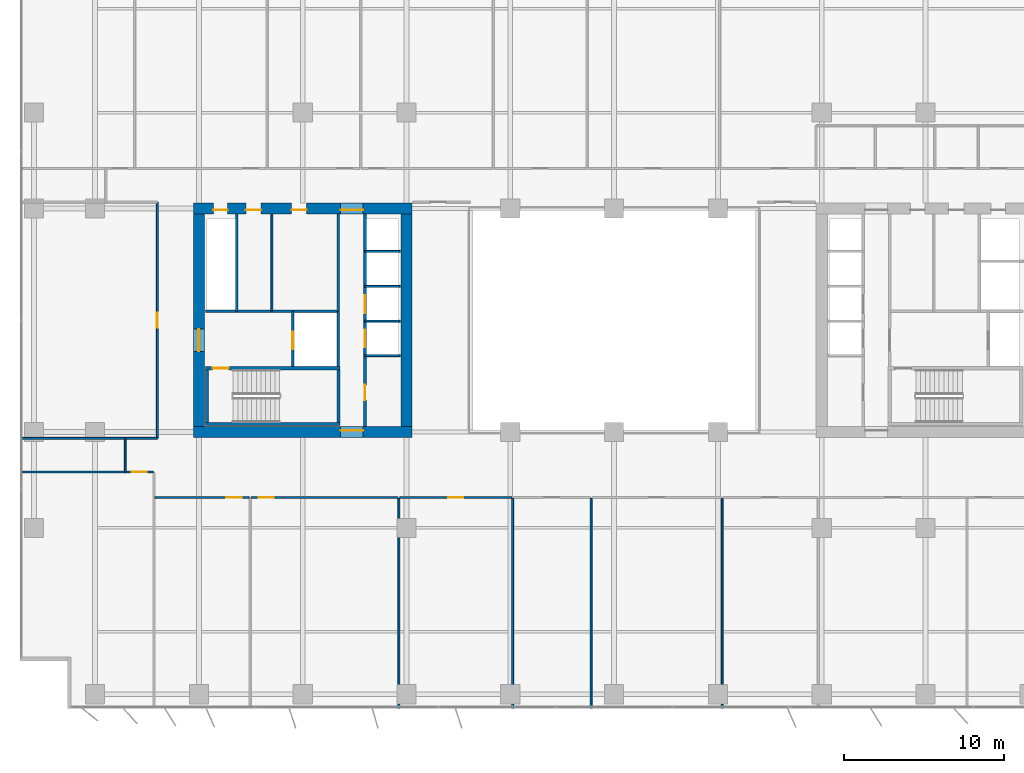
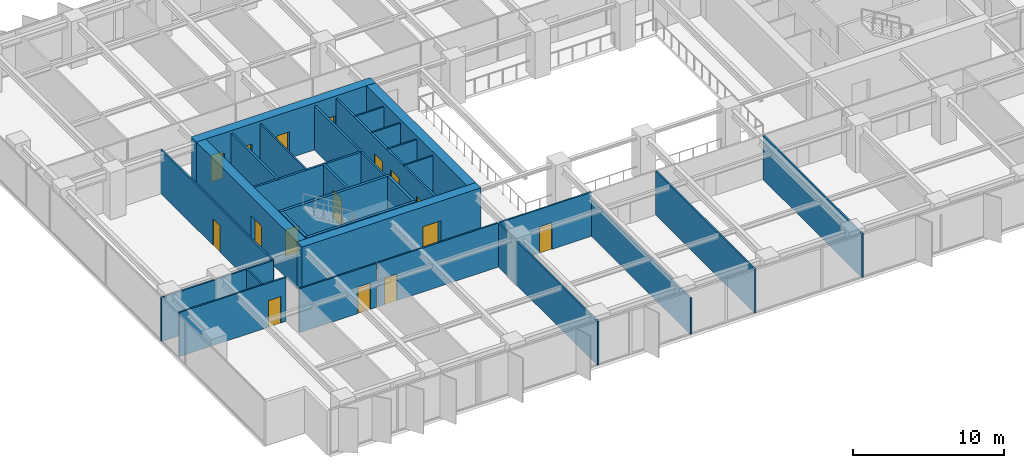
# One storey, part 13 of 20: 30 walls, 16 doors, 16 openings.
"""IFC4 building model written with IfcOpenShell, lengths in metres."""

from ifc_helpers import new_model, si_unit, direction, frame, frame_2d, origin, place, context, subcontext, project, spatial, rectangle, extrude, material, layer, layer_set, type_object, element, fill, save


model = new_model("IFC4")

# Units and contexts
model_context = context("Model", 3, precision=1e-05, world=origin(), true_north=direction((0.0, 1.0)))
body_context = subcontext(model_context, "Body", "Model", "MODEL_VIEW")
ifc_project = project(units=[si_unit("LENGTHUNIT", "METRE"), si_unit("AREAUNIT", "SQUARE_METRE"), si_unit("VOLUMEUNIT", "CUBIC_METRE"), si_unit("PLANEANGLEUNIT", "RADIAN"), si_unit("MASSUNIT", "GRAM", prefix="KILO")], contexts=[model_context])

# Site, building, storey
site_placement = place(None, origin())
site = spatial("IfcSite", under=ifc_project, at=site_placement, CompositionType="ELEMENT")
building_placement = place(site_placement, origin())
building = spatial("IfcBuilding", under=site, at=building_placement, Name="Putna Gate Headquarters", CompositionType="ELEMENT")
storey_placement = place(building_placement, frame((0.0, 0.0, 127.800048828125)))
storey = spatial("IfcBuildingStorey", under=building, at=storey_placement, Name="L31", CompositionType="ELEMENT", Elevation=127.800048828125)

# Wall, opening, door
ifc_material_1 = material(Name="Concrete C60/75", Category="concrete")
ifc_layer_1 = layer(ifc_material_1, 0.699951171875)
ifc_layer_set_1 = layer_set([ifc_layer_1], Name="Concrete C60/75")
wall_type_1 = type_object("IfcWallType", Name="WALL-CORE-700", PredefinedType="SHEAR", material=ifc_layer_set_1)
wall_1_placement = place(storey_placement, frame((12.64990234375, 19.0, 0.0), z_axis=(0.0, 0.0, 1.0), x_axis=(1.0, 0.0, 0.0)))
wall_1 = element("IfcWall", 1, at=wall_1_placement, inside=storey, type_object=wall_type_1, Name="L31 WC Split Core Shear Wall S", PredefinedType="SHEAR", context=body_context, shape_type="SweptSolid", body=[
    extrude(rectangle(XDim=13.7001953125, YDim=0.699951171875, at=frame_2d((6.85009765625, 0.0))), origin(), (0.0, 0.0, 1.0), 3.800048828125),
])
opening_1_placement = place(wall_1_placement, frame((9.22998046875, 0.0, 0.0)))
opening_1 = element("IfcOpeningElement", 2, at=opening_1_placement, cuts=wall_1, Name="Opening FDD-140", PredefinedType="OPENING", context=body_context, shape_type="SweptSolid", body=[
    extrude(rectangle(XDim=1.39990234375, YDim=2.199951171875, at=frame_2d((0.699951171875, 1.10009765625))), frame((0.0, 0.35986328125, 0.0), z_axis=(0.0, -1.0, 0.0), x_axis=(1.0, 0.0, 0.0)), (0.0, 0.0, 1.0), 0.719970703125),
])
ifc_material_2 = material(Name="Double steel fire door", Category="steel")
door_type_1 = type_object("IfcDoorType", Name="DOOR-FIRE-DBL-1400", OperationType="DOUBLE_DOOR_SINGLE_SWING", PredefinedType="DOOR", material=ifc_material_2)
door_1_placement = place(opening_1_placement, origin())
door_1 = element("IfcDoor", 3, at=door_1_placement, inside=storey, type_object=door_type_1, Name="L31 West Lift Lobby South Door", OperationType="DOUBLE_DOOR_SINGLE_SWING", OverallHeight=2.199951171875, OverallWidth=1.39990234375, PredefinedType="DOOR", context=body_context, shape_type="SweptSolid", body=[
    extrude(rectangle(XDim=1.39990234375, YDim=2.199951171875, at=frame_2d((0.699951171875, 1.10009765625))), frame((0.0, 0.125, 0.0), z_axis=(0.0, -1.0, 0.0), x_axis=(1.0, 0.0, 0.0)), (0.0, 0.0, 1.0), 0.050048828125),
])
fill(opening_1, door_1)

# Wall, openings, doors
wall_2_placement = place(storey_placement, frame((12.64990234375, 33.0, 0.0), z_axis=(0.0, 0.0, 1.0), x_axis=(1.0, 0.0, 0.0)))
wall_2 = element("IfcWall", 4, at=wall_2_placement, inside=storey, type_object=wall_type_1, Name="L31 WC Split Core Shear Wall N", PredefinedType="SHEAR", context=body_context, shape_type="SweptSolid", body=[
    extrude(rectangle(XDim=13.7001953125, YDim=0.699951171875, at=frame_2d((6.85009765625, 0.0))), origin(), (0.0, 0.0, 1.0), 3.800048828125),
])
opening_2_placement = place(wall_2_placement, frame((1.25, 0.0, 0.0)))
opening_2 = element("IfcOpeningElement", 5, at=opening_2_placement, cuts=wall_2, Name="Opening RD-90", PredefinedType="OPENING", context=body_context, shape_type="SweptSolid", body=[
    extrude(rectangle(XDim=0.89990234375, YDim=2.14990234375, at=frame_2d((0.449951171875, 1.074951171875))), frame((0.0, 0.35986328125, 0.0), z_axis=(0.0, -1.0, 0.0), x_axis=(1.0, 0.0, 0.0)), (0.0, 0.0, 1.0), 0.719970703125),
])
opening_3_placement = place(wall_2_placement, frame((3.300048828125, 0.0, 0.0)))
opening_3 = element("IfcOpeningElement", 6, at=opening_3_placement, cuts=wall_2, Name="Opening IDS-95", PredefinedType="OPENING", context=body_context, shape_type="SweptSolid", body=[
    extrude(rectangle(XDim=0.949951171875, YDim=2.14990234375, at=frame_2d((0.47509765625, 1.074951171875))), frame((0.0, 0.35986328125, 0.0), z_axis=(0.0, -1.0, 0.0), x_axis=(1.0, 0.0, 0.0)), (0.0, 0.0, 1.0), 0.719970703125),
])
opening_4_placement = place(wall_2_placement, frame((6.14990234375, 0.0, 0.0)))
opening_4 = element("IfcOpeningElement", 7, at=opening_4_placement, cuts=wall_2, Name="Opening IDS-95", PredefinedType="OPENING", context=body_context, shape_type="SweptSolid", body=[
    extrude(rectangle(XDim=0.949951171875, YDim=2.14990234375, at=frame_2d((0.47509765625, 1.074951171875))), frame((0.0, 0.35986328125, 0.0), z_axis=(0.0, -1.0, 0.0), x_axis=(1.0, 0.0, 0.0)), (0.0, 0.0, 1.0), 0.719970703125),
])
opening_5_placement = place(wall_2_placement, frame((9.22998046875, 0.0, 0.0)))
opening_5 = element("IfcOpeningElement", 8, at=opening_5_placement, cuts=wall_2, Name="Opening FDD-140", PredefinedType="OPENING", context=body_context, shape_type="SweptSolid", body=[
    extrude(rectangle(XDim=1.39990234375, YDim=2.199951171875, at=frame_2d((0.699951171875, 1.10009765625))), frame((0.0, 0.35986328125, 0.0), z_axis=(0.0, -1.0, 0.0), x_axis=(1.0, 0.0, 0.0)), (0.0, 0.0, 1.0), 0.719970703125),
])
door_2_placement = place(opening_5_placement, origin())
door_2 = element("IfcDoor", 9, at=door_2_placement, inside=storey, type_object=door_type_1, Name="L31 West Lift Lobby North Door", OperationType="DOUBLE_DOOR_SINGLE_SWING", OverallHeight=2.199951171875, OverallWidth=1.39990234375, PredefinedType="DOOR", context=body_context, shape_type="SweptSolid", body=[
    extrude(rectangle(XDim=1.39990234375, YDim=2.199951171875, at=frame_2d((0.699951171875, 1.10009765625))), frame((0.0, -0.0751953125, 0.0), z_axis=(0.0, -1.0, 0.0), x_axis=(1.0, 0.0, 0.0)), (0.0, 0.0, 1.0), 0.050048828125),
])
fill(opening_5, door_2)
ifc_material_3 = material(Name="Fire-rated service timber door", Category="wood")
door_type_2 = type_object("IfcDoorType", Name="DOOR-INT-950", OperationType="NOTDEFINED", PredefinedType="DOOR", material=ifc_material_3)
door_3_placement = place(opening_3_placement, origin())
door_3 = element("IfcDoor", 10, at=door_3_placement, inside=storey, type_object=door_type_2, Name="L31 Archive Store Door", OperationType="SINGLE_SWING_LEFT", OverallHeight=2.14990234375, OverallWidth=0.949951171875, PredefinedType="DOOR", context=body_context, shape_type="SweptSolid", body=[
    extrude(rectangle(XDim=0.949951171875, YDim=2.14990234375, at=frame_2d((0.47509765625, 1.074951171875))), frame((0.0, -0.0751953125, 0.0), z_axis=(0.0, -1.0, 0.0), x_axis=(1.0, 0.0, 0.0)), (0.0, 0.0, 1.0), 0.050048828125),
])
fill(opening_3, door_3)
door_4_placement = place(opening_4_placement, origin())
door_4 = element("IfcDoor", 11, at=door_4_placement, inside=storey, type_object=door_type_2, Name="L31 Switchgear Plant Door", OperationType="SINGLE_SWING_RIGHT", OverallHeight=2.14990234375, OverallWidth=0.949951171875, PredefinedType="DOOR", context=body_context, shape_type="SweptSolid", body=[
    extrude(rectangle(XDim=0.949951171875, YDim=2.14990234375, at=frame_2d((0.47509765625, 1.074951171875))), frame((0.0, -0.0751953125, 0.0), z_axis=(0.0, -1.0, 0.0), x_axis=(1.0, 0.0, 0.0)), (0.0, 0.0, 1.0), 0.050048828125),
])
fill(opening_4, door_4)
ifc_material_4 = material(Name="Steel riser access fire door", Category="steel")
door_type_3 = type_object("IfcDoorType", Name="DOOR-RISER-900", OperationType="NOTDEFINED", PredefinedType="DOOR", material=ifc_material_4)
door_5_placement = place(opening_2_placement, origin())
door_5 = element("IfcDoor", 12, at=door_5_placement, inside=storey, type_object=door_type_3, Name="L31 West Riser Access Door", OperationType="SINGLE_SWING_RIGHT", OverallHeight=2.14990234375, OverallWidth=0.89990234375, PredefinedType="DOOR", context=body_context, shape_type="SweptSolid", body=[
    extrude(rectangle(XDim=0.89990234375, YDim=2.14990234375, at=frame_2d((0.449951171875, 1.074951171875))), frame((0.0, -0.0751953125, 0.0), z_axis=(0.0, -1.0, 0.0), x_axis=(1.0, 0.0, 0.0)), (0.0, 0.0, 1.0), 0.050048828125),
])
fill(opening_2, door_5)

# Wall, opening, door
wall_3_placement = place(storey_placement, frame((13.0, 19.35009765625, 0.0), z_axis=(0.0, 0.0, 1.0), x_axis=(0.0, 1.0, 0.0)))
wall_3 = element("IfcWall", 13, at=wall_3_placement, inside=storey, type_object=wall_type_1, Name="L31 WC Split Core Shear Wall W", PredefinedType="SHEAR", context=body_context, shape_type="SweptSolid", body=[
    extrude(rectangle(XDim=13.2998046875, YDim=0.699951171875, at=frame_2d((6.64990234375, 0.0))), origin(), (0.0, 0.0, 1.0), 3.800048828125),
])
opening_6_placement = place(wall_3_placement, frame((4.699951171875, 0.0, 0.0)))
opening_6 = element("IfcOpeningElement", 14, at=opening_6_placement, cuts=wall_3, Name="Opening FDD-140", PredefinedType="OPENING", context=body_context, shape_type="SweptSolid", body=[
    extrude(rectangle(XDim=1.39990234375, YDim=2.199951171875, at=frame_2d((0.699951171875, 1.10009765625))), frame((0.0, 0.35986328125, 0.0), z_axis=(0.0, -1.0, 0.0), x_axis=(1.0, 0.0, 0.0)), (0.0, 0.0, 1.0), 0.719970703125),
])
door_6_placement = place(opening_6_placement, origin())
door_6 = element("IfcDoor", 15, at=door_6_placement, inside=storey, type_object=door_type_1, Name="L31 West Firefighting Lobby Door", OperationType="DOUBLE_DOOR_SINGLE_SWING", OverallHeight=2.199951171875, OverallWidth=1.39990234375, PredefinedType="DOOR", context=body_context, shape_type="SweptSolid", body=[
    extrude(rectangle(XDim=1.39990234375, YDim=2.199951171875, at=frame_2d((0.699951171875, 1.10009765625))), frame((0.0, 0.02490234375, 0.0), z_axis=(0.0, -1.0, 0.0), x_axis=(1.0, 0.0, 0.0)), (0.0, 0.0, 1.0), 0.050048828125),
])
fill(opening_6, door_6)

# Walls
wall_4_placement = place(storey_placement, frame((26.0, 19.35009765625, 0.0), z_axis=(0.0, 0.0, 1.0), x_axis=(0.0, 1.0, 0.0)))
element("IfcWall", 16, at=wall_4_placement, inside=storey, type_object=wall_type_1, Name="L31 WC Split Core Shear Wall E", PredefinedType="SHEAR", context=body_context, shape_type="SweptSolid", body=[
    extrude(rectangle(XDim=13.2998046875, YDim=0.699951171875, at=frame_2d((6.64990234375, 0.0))), origin(), (0.0, 0.0, 1.0), 3.800048828125),
])
ifc_material_5 = material(Name="Acoustic gypsum board on metal stud")
ifc_layer_2 = layer(ifc_material_5, 0.1201171875)
ifc_layer_set_2 = layer_set([ifc_layer_2], Name="Acoustic gypsum board on metal stud")
wall_type_2 = type_object("IfcWallType", Name="WALL-PART-120", PredefinedType="PARTITIONING", material=ifc_layer_set_2)
wall_5_placement = place(storey_placement, frame((25.524658203125, 1.719970703125, 0.0), z_axis=(0.0, 0.0, 1.0), x_axis=(0.0, 1.0, 0.0)))
element("IfcWall", 17, at=wall_5_placement, inside=storey, type_object=wall_type_2, Name="L31 Interior Wall PART-L31-SB-DIV-03", PredefinedType="PARTITIONING", context=body_context, shape_type="SweptSolid", body=[
    extrude(rectangle(XDim=13.1201171875, YDim=0.1201171875, at=frame_2d((6.56005859375, 0.0))), origin(), (0.0, 0.0, 1.0), 3.56494140625),
])
wall_6_placement = place(storey_placement, frame((32.639892578125, 1.719970703125, 0.0), z_axis=(0.0, 0.0, 1.0), x_axis=(0.0, 1.0, 0.0)))
element("IfcWall", 18, at=wall_6_placement, inside=storey, type_object=wall_type_2, Name="L31 Interior Wall PART-L31-SB-DIV-04", PredefinedType="PARTITIONING", context=body_context, shape_type="SweptSolid", body=[
    extrude(rectangle(XDim=13.1201171875, YDim=0.1201171875, at=frame_2d((6.56005859375, 0.0))), origin(), (0.0, 0.0, 1.0), 2.96484375),
])
for number, where, z_axis, x_axis, name in (
    (19, (37.55615234375, 1.719970703125, 0.0), (0.0, 0.0, 1.0), (0.0, 1.0, 0.0), "L31 Interior Wall PART-L31-SB-DIV-05"),
    (20, (45.767333984375, 1.719970703125, 0.0), (0.0, 0.0, 1.0), (0.0, 1.0, 0.0), "L31 Interior Wall PART-L31-SB-DIV-06"),
):
    element("IfcWall", number, at=place(storey_placement, frame(where, z_axis=z_axis, x_axis=x_axis)), inside=storey, type_object=wall_type_2, Name=name, PredefinedType="PARTITIONING", context=body_context, shape_type="SweptSolid", body=[
        extrude(rectangle(XDim=13.1201171875, YDim=0.1201171875, at=frame_2d((6.56005859375, 0.0))), origin(), (0.0, 0.0, 1.0), 3.56494140625),
    ])
ifc_material_6 = material(Name="Fire-rated shaftwall gypsum board on metal stud")
ifc_layer_3 = layer(ifc_material_6, 0.1201171875)
ifc_layer_set_3 = layer_set([ifc_layer_3], Name="Fire-rated shaftwall gypsum board on metal stud")
wall_type_3 = type_object("IfcWallType", Name="WALL-PART-120-EI120", PredefinedType="PARTITIONING", material=ifc_layer_set_3)
for number, where, z_axis, x_axis, name in (
    (21, (23.39990234375, 25.949951171875, 0.0), (0.0, 0.0, 1.0), (1.0, 0.0, 0.0), "L31 Interior Wall CWINT-L31-WC-LF05-DIV"),
    (22, (23.39990234375, 28.1201171875, 0.0), (0.0, 0.0, 1.0), (1.0, 0.0, 0.0), "L31 Interior Wall CWINT-L31-WC-LF06-DIV"),
    (23, (23.39990234375, 30.31005859375, 0.0), (0.0, 0.0, 1.0), (1.0, 0.0, 0.0), "L31 Interior Wall CWINT-L31-WC-LF09-DIV"),
):
    element("IfcWall", number, at=place(storey_placement, frame(where, z_axis=z_axis, x_axis=x_axis)), inside=storey, type_object=wall_type_3, Name=name, PredefinedType="PARTITIONING", context=body_context, shape_type="SweptSolid", body=[
        extrude(rectangle(XDim=2.2001953125, YDim=0.1201171875, at=frame_2d((1.10009765625, 0.0))), origin(), (0.0, 0.0, 1.0), 3.56494140625),
    ])
ifc_material_7 = material(Name="Fire-rated gypsum board on metal stud")
ifc_layer_4 = layer(ifc_material_7, 0.1201171875)
ifc_layer_set_4 = layer_set([ifc_layer_4], Name="Fire-rated gypsum board on metal stud")
wall_type_4 = type_object("IfcWallType", Name="WALL-PART-120-RATED", PredefinedType="PARTITIONING", material=ifc_layer_set_4)
wall_7_placement = place(storey_placement, frame((17.570068359375, 26.56005859375, 0.0), z_axis=(0.0, 0.0, 1.0), x_axis=(0.0, 1.0, 0.0)))
element("IfcWall", 24, at=wall_7_placement, inside=storey, type_object=wall_type_4, Name="L31 Interior Wall CWINT-L31-WC-K1-DIV", PredefinedType="PARTITIONING", context=body_context, shape_type="SweptSolid", body=[
    extrude(rectangle(XDim=6.08984375, YDim=0.1201171875, at=frame_2d((3.044921875, 0.0))), origin(), (0.0, 0.0, 1.0), 3.56494140625),
])
wall_8_placement = place(storey_placement, frame((23.39990234375, 23.780029296875, 0.0), z_axis=(0.0, 0.0, 1.0), x_axis=(1.0, 0.0, 0.0)))
element("IfcWall", 25, at=wall_8_placement, inside=storey, type_object=wall_type_4, Name="L31 Interior Wall CWINT-L31-WC-LF02-DIV", PredefinedType="PARTITIONING", context=body_context, shape_type="SweptSolid", body=[
    extrude(rectangle(XDim=2.2001953125, YDim=0.1201171875, at=frame_2d((1.10009765625, 0.0))), origin(), (0.0, 0.0, 1.0), 3.56494140625),
])
wall_9_placement = place(storey_placement, frame((8.39111328125, 16.5, 0.0), z_axis=(0.0, 0.0, 1.0), x_axis=(0.0, 1.0, 0.0)))
element("IfcWall", 26, at=wall_9_placement, inside=storey, type_object=wall_type_4, Name="L31 Interior Wall PART-L31-CORRS-CAPW", PredefinedType="PARTITIONING", context=body_context, shape_type="SweptSolid", body=[
    extrude(rectangle(XDim=2.10009765625, YDim=0.1201171875, at=frame_2d((1.050048828125, 0.0))), origin(), (0.0, 0.0, 1.0), 3.56494140625),
])

# Wall, opening, door
wall_10_placement = place(storey_placement, frame((1.97998046875, 16.5, 0.0), z_axis=(0.0, 0.0, 1.0), x_axis=(1.0, 0.0, 0.0)))
wall_10 = element("IfcWall", 27, at=wall_10_placement, inside=storey, type_object=wall_type_4, Name="L31 Interior Wall PART-L31-SB-CW-01", PredefinedType="PARTITIONING", context=body_context, shape_type="SweptSolid", body=[
    extrude(rectangle(XDim=8.151123046875, YDim=0.1201171875, at=frame_2d((4.07568359375, 0.0))), origin(), (0.0, 0.0, 1.0), 3.56494140625),
])
opening_7_placement = place(wall_10_placement, frame((6.805908203125, 0.0, 0.0)))
opening_7 = element("IfcOpeningElement", 28, at=opening_7_placement, cuts=wall_10, Name="Opening FD-95", PredefinedType="OPENING", context=body_context, shape_type="SweptSolid", body=[
    extrude(rectangle(XDim=0.949951171875, YDim=2.14990234375, at=frame_2d((0.47509765625, 1.074951171875))), frame((0.0, 0.070068359375, 0.0), z_axis=(0.0, -1.0, 0.0), x_axis=(1.0, 0.0, 0.0)), (0.0, 0.0, 1.0), 0.14013671875),
])
ifc_material_8 = material(Name="Acoustic timber fire door", Category="wood")
door_type_4 = type_object("IfcDoorType", Name="DOOR-FIRE-950", OperationType="NOTDEFINED", PredefinedType="DOOR", material=ifc_material_8)
door_7_placement = place(opening_7_placement, origin())
door_7 = element("IfcDoor", 29, at=door_7_placement, inside=storey, type_object=door_type_4, Name="L31 Collaborative Breakout Lounge 2 Door", OperationType="SINGLE_SWING_LEFT", OverallHeight=2.14990234375, OverallWidth=0.949951171875, PredefinedType="DOOR", context=body_context, shape_type="SweptSolid", body=[
    extrude(rectangle(XDim=0.949951171875, YDim=2.14990234375, at=frame_2d((0.47509765625, 1.074951171875))), frame((0.0, 0.02490234375, 0.0), z_axis=(0.0, -1.0, 0.0), x_axis=(1.0, 0.0, 0.0)), (0.0, 0.0, 1.0), 0.050048828125),
])
fill(opening_7, door_7)

wall_11_placement = place(storey_placement, frame((10.2509765625, 14.89990234375, 0.0), z_axis=(0.0, 0.0, 1.0), x_axis=(1.0, 0.0, 0.0)))
wall_11 = element("IfcWall", 30, at=wall_11_placement, inside=storey, type_object=wall_type_4, Name="L31 Interior Wall PART-L31-SB-CW-02", PredefinedType="PARTITIONING", context=body_context, shape_type="SweptSolid", body=[
    extrude(rectangle(XDim=5.8994140625, YDim=0.1201171875, at=frame_2d((2.94970703125, 0.0))), origin(), (0.0, 0.0, 1.0), 3.56494140625),
])
opening_8_placement = place(wall_11_placement, frame((4.469482421875, 0.0, 0.0)))
opening_8 = element("IfcOpeningElement", 31, at=opening_8_placement, cuts=wall_11, Name="Opening FD-95", PredefinedType="OPENING", context=body_context, shape_type="SweptSolid", body=[
    extrude(rectangle(XDim=0.949951171875, YDim=2.14990234375, at=frame_2d((0.47509765625, 1.074951171875))), frame((0.0, 0.070068359375, 0.0), z_axis=(0.0, -1.0, 0.0), x_axis=(1.0, 0.0, 0.0)), (0.0, 0.0, 1.0), 0.14013671875),
])
door_8_placement = place(opening_8_placement, origin())
door_8 = element("IfcDoor", 32, at=door_8_placement, inside=storey, type_object=door_type_4, Name="L31 Cellular Office 3 Door", OperationType="SINGLE_SWING_RIGHT", OverallHeight=2.14990234375, OverallWidth=0.949951171875, PredefinedType="DOOR", context=body_context, shape_type="SweptSolid", body=[
    extrude(rectangle(XDim=0.949951171875, YDim=2.14990234375, at=frame_2d((0.47509765625, 1.074951171875))), frame((0.0, 0.02490234375, 0.0), z_axis=(0.0, -1.0, 0.0), x_axis=(1.0, 0.0, 0.0)), (0.0, 0.0, 1.0), 0.050048828125),
])
fill(opening_8, door_8)

wall_12_placement = place(storey_placement, frame((16.2705078125, 14.89990234375, 0.0), z_axis=(0.0, 0.0, 1.0), x_axis=(1.0, 0.0, 0.0)))
wall_12 = element("IfcWall", 33, at=wall_12_placement, inside=storey, type_object=wall_type_4, Name="L31 Interior Wall PART-L31-SB-CW-03", PredefinedType="PARTITIONING", context=body_context, shape_type="SweptSolid", body=[
    extrude(rectangle(XDim=9.194091796875, YDim=0.1201171875, at=frame_2d((4.59716796875, 0.0))), origin(), (0.0, 0.0, 1.0), 3.56494140625),
])
opening_9_placement = place(wall_12_placement, frame((0.47998046875, 0.0, 0.0)))
opening_9 = element("IfcOpeningElement", 34, at=opening_9_placement, cuts=wall_12, Name="Opening FD-95", PredefinedType="OPENING", context=body_context, shape_type="SweptSolid", body=[
    extrude(rectangle(XDim=0.949951171875, YDim=2.14990234375, at=frame_2d((0.47509765625, 1.074951171875))), frame((0.0, 0.070068359375, 0.0), z_axis=(0.0, -1.0, 0.0), x_axis=(1.0, 0.0, 0.0)), (0.0, 0.0, 1.0), 0.14013671875),
])
door_9_placement = place(opening_9_placement, origin())
door_9 = element("IfcDoor", 35, at=door_9_placement, inside=storey, type_object=door_type_4, Name="L31 Cellular Office 4 Door", OperationType="SINGLE_SWING_LEFT", OverallHeight=2.14990234375, OverallWidth=0.949951171875, PredefinedType="DOOR", context=body_context, shape_type="SweptSolid", body=[
    extrude(rectangle(XDim=0.949951171875, YDim=2.14990234375, at=frame_2d((0.47509765625, 1.074951171875))), frame((0.0, 0.02490234375, 0.0), z_axis=(0.0, -1.0, 0.0), x_axis=(1.0, 0.0, 0.0)), (0.0, 0.0, 1.0), 0.050048828125),
])
fill(opening_9, door_9)

wall_13_placement = place(storey_placement, frame((25.584716796875, 14.89990234375, 0.0), z_axis=(0.0, 0.0, 1.0), x_axis=(1.0, 0.0, 0.0)))
wall_13 = element("IfcWall", 36, at=wall_13_placement, inside=storey, type_object=wall_type_4, Name="L31 Interior Wall PART-L31-SB-CW-04", PredefinedType="PARTITIONING", context=body_context, shape_type="SweptSolid", body=[
    extrude(rectangle(XDim=6.995361328125, YDim=0.1201171875, at=frame_2d((3.49755859375, 0.0))), origin(), (0.0, 0.0, 1.0), 3.56494140625),
])
opening_10_placement = place(wall_13_placement, frame((3.022705078125, 0.0, 0.0)))
opening_10 = element("IfcOpeningElement", 37, at=opening_10_placement, cuts=wall_13, Name="Opening FD-95", PredefinedType="OPENING", context=body_context, shape_type="SweptSolid", body=[
    extrude(rectangle(XDim=0.949951171875, YDim=2.14990234375, at=frame_2d((0.47509765625, 1.074951171875))), frame((0.0, 0.070068359375, 0.0), z_axis=(0.0, -1.0, 0.0), x_axis=(1.0, 0.0, 0.0)), (0.0, 0.0, 1.0), 0.14013671875),
])
door_10_placement = place(opening_10_placement, origin())
door_10 = element("IfcDoor", 38, at=door_10_placement, inside=storey, type_object=door_type_4, Name="L31 Conference Meeting Room 1 Door", OperationType="SINGLE_SWING_RIGHT", OverallHeight=2.14990234375, OverallWidth=0.949951171875, PredefinedType="DOOR", context=body_context, shape_type="SweptSolid", body=[
    extrude(rectangle(XDim=0.949951171875, YDim=2.14990234375, at=frame_2d((0.47509765625, 1.074951171875))), frame((0.0, 0.02490234375, 0.0), z_axis=(0.0, -1.0, 0.0), x_axis=(1.0, 0.0, 0.0)), (0.0, 0.0, 1.0), 0.050048828125),
])
fill(opening_10, door_10)

# Wall
wall_14_placement = place(storey_placement, frame((1.820068359375, 18.60009765625, 0.0), z_axis=(0.0, 0.0, 1.0), x_axis=(1.0, 0.0, 0.0)))
element("IfcWall", 39, at=wall_14_placement, inside=storey, type_object=wall_type_4, Name="L31 Interior Wall PART-L31-WW-S-BOUND", PredefinedType="PARTITIONING", context=body_context, shape_type="SweptSolid", body=[
    extrude(rectangle(XDim=8.579833984375, YDim=0.1201171875, at=frame_2d((4.2900390625, 0.0))), origin(), (0.0, 0.0, 1.0), 3.56494140625),
])

# Wall, opening, door
wall_15_placement = place(storey_placement, frame((10.39990234375, 18.60009765625, 0.0), z_axis=(0.0, 0.0, 1.0), x_axis=(0.0, 1.0, 0.0)))
wall_15 = element("IfcWall", 40, at=wall_15_placement, inside=storey, type_object=wall_type_4, Name="L31 Interior Wall PART-L31-WW-CW-1", PredefinedType="PARTITIONING", context=body_context, shape_type="SweptSolid", body=[
    extrude(rectangle(XDim=14.7998046875, YDim=0.1201171875, at=frame_2d((7.39990234375, 0.0))), origin(), (0.0, 0.0, 1.0), 3.56494140625),
])
opening_11_placement = place(wall_15_placement, frame((6.925048828125, 0.0, 0.0)))
opening_11 = element("IfcOpeningElement", 41, at=opening_11_placement, cuts=wall_15, Name="Opening FD-95", PredefinedType="OPENING", context=body_context, shape_type="SweptSolid", body=[
    extrude(rectangle(XDim=0.949951171875, YDim=2.14990234375, at=frame_2d((0.47509765625, 1.074951171875))), frame((0.0, 0.070068359375, 0.0), z_axis=(0.0, -1.0, 0.0), x_axis=(1.0, 0.0, 0.0)), (0.0, 0.0, 1.0), 0.14013671875),
])
door_11_placement = place(opening_11_placement, origin())
door_11 = element("IfcDoor", 42, at=door_11_placement, inside=storey, type_object=door_type_4, Name="L31 West Project Meeting Room 1 Door", OperationType="SINGLE_SWING_LEFT", OverallHeight=2.14990234375, OverallWidth=0.949951171875, PredefinedType="DOOR", context=body_context, shape_type="SweptSolid", body=[
    extrude(rectangle(XDim=0.949951171875, YDim=2.14990234375, at=frame_2d((0.47509765625, 1.074951171875))), frame((0.0, 0.02490234375, 0.0), z_axis=(0.0, -1.0, 0.0), x_axis=(1.0, 0.0, 0.0)), (0.0, 0.0, 1.0), 0.050048828125),
])
fill(opening_11, door_11)

# Wall
ifc_material_9 = material(Name="Concrete C40/50", Category="concrete")
ifc_layer_5 = layer(ifc_material_9, 0.159912109375)
ifc_layer_set_5 = layer_set([ifc_layer_5], Name="Concrete C40/50")
wall_type_5 = type_object("IfcWallType", Name="WALL-SHAFT-160", PredefinedType="STANDARD", material=ifc_layer_set_5)
wall_16_placement = place(storey_placement, frame((21.739990234375, 23.090087890625, 0.0), z_axis=(0.0, 0.0, 1.0), x_axis=(0.0, 1.0, 0.0)))
element("IfcWall", 43, at=wall_16_placement, inside=storey, type_object=wall_type_5, Name="L31 Interior Wall CWINT-L31-WC-FFL-E", PredefinedType="STANDARD", context=body_context, shape_type="SweptSolid", body=[
    extrude(rectangle(XDim=3.469970703125, YDim=0.159912109375, at=frame_2d((1.73486328125, 0.0))), origin(), (0.0, 0.0, 1.0), 3.56494140625),
])

# Wall, opening, door
wall_17_placement = place(storey_placement, frame((18.8798828125, 23.090087890625, 0.0), z_axis=(0.0, 0.0, 1.0), x_axis=(0.0, 1.0, 0.0)))
wall_17 = element("IfcWall", 44, at=wall_17_placement, inside=storey, type_object=wall_type_5, Name="L31 Interior Wall CWINT-L31-WC-LF13-W", PredefinedType="STANDARD", context=body_context, shape_type="SweptSolid", body=[
    extrude(rectangle(XDim=3.469970703125, YDim=0.159912109375, at=frame_2d((1.73486328125, 0.0))), origin(), (0.0, 0.0, 1.0), 3.56494140625),
])
opening_12_placement = place(wall_17_placement, frame((1.10009765625, 0.0, 0.0)))
opening_12 = element("IfcOpeningElement", 45, at=opening_12_placement, cuts=wall_17, Name="Opening LD-1", PredefinedType="OPENING", context=body_context, shape_type="SweptSolid", body=[
    extrude(rectangle(XDim=1.10009765625, YDim=2.199951171875, at=frame_2d((0.550048828125, 1.10009765625))), frame((0.0, 0.08984375, 0.0), z_axis=(0.0, -1.0, 0.0), x_axis=(1.0, 0.0, 0.0)), (0.0, 0.0, 1.0), 0.179931640625),
])
ifc_material_10 = material(Name="Brushed bronze stainless lift landing door")
door_type_5 = type_object("IfcDoorType", Name="DOOR-LIFT-1100", OperationType="DOUBLE_DOOR_SLIDING", PredefinedType="DOOR", material=ifc_material_10)
door_12_placement = place(opening_12_placement, origin())
door_12 = element("IfcDoor", 46, at=door_12_placement, inside=storey, type_object=door_type_5, Name="L31 Lift Landing Door LD-13", OperationType="DOUBLE_DOOR_SLIDING", OverallHeight=2.199951171875, OverallWidth=1.10009765625, PredefinedType="DOOR", context=body_context, shape_type="SweptSolid", body=[
    extrude(rectangle(XDim=1.10009765625, YDim=2.199951171875, at=frame_2d((0.550048828125, 1.10009765625))), frame((0.0, 0.02490234375, 0.0), z_axis=(0.0, -1.0, 0.0), x_axis=(1.0, 0.0, 0.0)), (0.0, 0.0, 1.0), 0.050048828125),
])
fill(opening_12, door_12)

# Walls
wall_18_placement = place(storey_placement, frame((13.39990234375, 26.56005859375, 0.0), z_axis=(0.0, 0.0, 1.0), x_axis=(1.0, 0.0, 0.0)))
element("IfcWall", 47, at=wall_18_placement, inside=storey, type_object=wall_type_5, Name="L31 Interior Wall CWINT-L31-WC-FFL-N", PredefinedType="STANDARD", context=body_context, shape_type="SweptSolid", body=[
    extrude(rectangle(XDim=8.340087890625, YDim=0.159912109375, at=frame_2d((4.169921875, 0.0))), origin(), (0.0, 0.0, 1.0), 3.56494140625),
])
for number, where, z_axis, x_axis, name in (
    (48, (15.3798828125, 26.56005859375, 0.0), (0.0, 0.0, 1.0), (0.0, 1.0, 0.0), "L31 Interior Wall CWINT-L31-WC-RISER-E"),
    (49, (21.739990234375, 26.56005859375, 0.0), (0.0, 0.0, 1.0), (0.0, 1.0, 0.0), "L31 Interior Wall CWINT-L31-WC-LOB-W"),
):
    element("IfcWall", number, at=place(storey_placement, frame(where, z_axis=z_axis, x_axis=x_axis)), inside=storey, type_object=wall_type_5, Name=name, PredefinedType="STANDARD", context=body_context, shape_type="SweptSolid", body=[
        extrude(rectangle(XDim=6.08984375, YDim=0.159912109375, at=frame_2d((3.044921875, 0.0))), origin(), (0.0, 0.0, 1.0), 3.56494140625),
    ])

# Wall, openings, doors
wall_19_placement = place(storey_placement, frame((23.39990234375, 19.35009765625, 0.0), z_axis=(0.0, 0.0, 1.0), x_axis=(0.0, 1.0, 0.0)))
wall_19 = element("IfcWall", 50, at=wall_19_placement, inside=storey, type_object=wall_type_5, Name="L31 Interior Wall CWINT-L31-WC-PL-WALL", PredefinedType="STANDARD", context=body_context, shape_type="SweptSolid", body=[
    extrude(rectangle(XDim=13.2998046875, YDim=0.159912109375, at=frame_2d((6.64990234375, 0.0))), origin(), (0.0, 0.0, 1.0), 3.56494140625),
])
opening_13_placement = place(wall_19_placement, frame((1.64990234375, 0.0, 0.0)))
opening_13 = element("IfcOpeningElement", 51, at=opening_13_placement, cuts=wall_19, Name="Opening IDS-95", PredefinedType="OPENING", context=body_context, shape_type="SweptSolid", body=[
    extrude(rectangle(XDim=0.949951171875, YDim=2.14990234375, at=frame_2d((0.47509765625, 1.074951171875))), frame((0.0, 0.08984375, 0.0), z_axis=(0.0, -1.0, 0.0), x_axis=(1.0, 0.0, 0.0)), (0.0, 0.0, 1.0), 0.179931640625),
])
opening_14_placement = place(wall_19_placement, frame((4.949951171875, 0.0, 0.0)))
opening_14 = element("IfcOpeningElement", 52, at=opening_14_placement, cuts=wall_19, Name="Opening LD-1", PredefinedType="OPENING", context=body_context, shape_type="SweptSolid", body=[
    extrude(rectangle(XDim=1.10009765625, YDim=2.199951171875, at=frame_2d((0.550048828125, 1.10009765625))), frame((0.0, 0.08984375, 0.0), z_axis=(0.0, -1.0, 0.0), x_axis=(1.0, 0.0, 0.0)), (0.0, 0.0, 1.0), 0.179931640625),
])
opening_15_placement = place(wall_19_placement, frame((7.10009765625, 0.0, 0.0)))
opening_15 = element("IfcOpeningElement", 53, at=opening_15_placement, cuts=wall_19, Name="Opening LD-1", PredefinedType="OPENING", context=body_context, shape_type="SweptSolid", body=[
    extrude(rectangle(XDim=1.10009765625, YDim=2.199951171875, at=frame_2d((0.550048828125, 1.10009765625))), frame((0.0, 0.08984375, 0.0), z_axis=(0.0, -1.0, 0.0), x_axis=(1.0, 0.0, 0.0)), (0.0, 0.0, 1.0), 0.179931640625),
])
door_13_placement = place(opening_13_placement, origin())
door_13 = element("IfcDoor", 54, at=door_13_placement, inside=storey, type_object=door_type_2, Name="L31 Document Archive Door", OperationType="SINGLE_SWING_LEFT", OverallHeight=2.14990234375, OverallWidth=0.949951171875, PredefinedType="DOOR", context=body_context, shape_type="SweptSolid", body=[
    extrude(rectangle(XDim=0.949951171875, YDim=2.14990234375, at=frame_2d((0.47509765625, 1.074951171875))), frame((0.0, 0.02490234375, 0.0), z_axis=(0.0, -1.0, 0.0), x_axis=(1.0, 0.0, 0.0)), (0.0, 0.0, 1.0), 0.050048828125),
])
fill(opening_13, door_13)
door_14_placement = place(opening_14_placement, origin())
door_14 = element("IfcDoor", 55, at=door_14_placement, inside=storey, type_object=door_type_5, Name="L31 Lift Landing Door LD-05", OperationType="DOUBLE_DOOR_SLIDING", OverallHeight=2.199951171875, OverallWidth=1.10009765625, PredefinedType="DOOR", context=body_context, shape_type="SweptSolid", body=[
    extrude(rectangle(XDim=1.10009765625, YDim=2.199951171875, at=frame_2d((0.550048828125, 1.10009765625))), frame((0.0, 0.02490234375, 0.0), z_axis=(0.0, -1.0, 0.0), x_axis=(1.0, 0.0, 0.0)), (0.0, 0.0, 1.0), 0.050048828125),
])
fill(opening_14, door_14)
door_15_placement = place(opening_15_placement, origin())
door_15 = element("IfcDoor", 56, at=door_15_placement, inside=storey, type_object=door_type_5, Name="L31 Lift Landing Door LD-06", OperationType="DOUBLE_DOOR_SLIDING", OverallHeight=2.199951171875, OverallWidth=1.10009765625, PredefinedType="DOOR", context=body_context, shape_type="SweptSolid", body=[
    extrude(rectangle(XDim=1.10009765625, YDim=2.199951171875, at=frame_2d((0.550048828125, 1.10009765625))), frame((0.0, 0.02490234375, 0.0), z_axis=(0.0, -1.0, 0.0), x_axis=(1.0, 0.0, 0.0)), (0.0, 0.0, 1.0), 0.050048828125),
])
fill(opening_15, door_15)

# Wall
ifc_layer_6 = layer(ifc_material_9, 0.199951171875)
ifc_layer_set_6 = layer_set([ifc_layer_6], Name="Concrete C40/50")
wall_type_6 = type_object("IfcWallType", Name="WALL-SHAFT-RC200", PredefinedType="SHEAR", material=ifc_layer_set_6)
wall_20_placement = place(storey_placement, frame((13.409912109375, 19.510009765625, 0.0), z_axis=(0.0, 0.0, 1.0), x_axis=(1.0, 0.0, 0.0)))
element("IfcWall", 57, at=wall_20_placement, inside=storey, type_object=wall_type_6, Name="L31 Stair ST1 Structural Shaft Wall S", PredefinedType="SHEAR", context=body_context, shape_type="SweptSolid", body=[
    extrude(rectangle(XDim=8.43017578125, YDim=0.199951171875, at=frame_2d((4.215087890625, 0.0))), origin(), (0.0, 0.0, 1.0), 3.800048828125),
])

# Wall, opening, door
wall_21_placement = place(storey_placement, frame((13.409912109375, 22.989990234375, 0.0), z_axis=(0.0, 0.0, 1.0), x_axis=(1.0, 0.0, 0.0)))
wall_21 = element("IfcWall", 58, at=wall_21_placement, inside=storey, type_object=wall_type_6, Name="L31 Stair ST1 Structural Shaft Wall N", PredefinedType="SHEAR", context=body_context, shape_type="SweptSolid", body=[
    extrude(rectangle(XDim=8.43017578125, YDim=0.199951171875, at=frame_2d((4.215087890625, 0.0))), origin(), (0.0, 0.0, 1.0), 3.800048828125),
])
opening_16_placement = place(wall_21_placement, frame((0.449951171875, 0.0, 0.0)))
opening_16 = element("IfcOpeningElement", 59, at=opening_16_placement, cuts=wall_21, Name="Opening FD-100", PredefinedType="OPENING", context=body_context, shape_type="SweptSolid", body=[
    extrude(rectangle(XDim=1.0, YDim=2.14990234375, at=frame_2d((0.5, 1.074951171875))), frame((0.0, 0.10986328125, 0.0), z_axis=(0.0, -1.0, 0.0), x_axis=(1.0, 0.0, 0.0)), (0.0, 0.0, 1.0), 0.219970703125),
])
ifc_material_11 = material(Name="Powder-coated steel fire door", Category="steel")
door_type_6 = type_object("IfcDoorType", Name="DOOR-FIRE-1000", OperationType="NOTDEFINED", PredefinedType="DOOR", material=ifc_material_11)
door_16_placement = place(opening_16_placement, origin())
door_16 = element("IfcDoor", 60, at=door_16_placement, inside=storey, type_object=door_type_6, Name="L31 Stair ST1 Fire Door", OperationType="SINGLE_SWING_LEFT", OverallHeight=2.14990234375, OverallWidth=1.0, PredefinedType="DOOR", context=body_context, shape_type="SweptSolid", body=[
    extrude(rectangle(XDim=1.0, YDim=2.14990234375, at=frame_2d((0.5, 1.074951171875))), frame((0.0, 0.02490234375, 0.0), z_axis=(0.0, -1.0, 0.0), x_axis=(1.0, 0.0, 0.0)), (0.0, 0.0, 1.0), 0.050048828125),
])
fill(opening_16, door_16)

# Walls
for number, where, z_axis, x_axis, name in (
    (61, (13.510009765625, 19.610107421875, 0.0), (0.0, 0.0, 1.0), (0.0, 1.0, 0.0), "L31 Stair ST1 Structural Shaft Wall W"),
    (62, (21.739990234375, 19.610107421875, 0.0), (0.0, 0.0, 1.0), (0.0, 1.0, 0.0), "L31 Stair ST1 Structural Shaft Wall E"),
):
    element("IfcWall", number, at=place(storey_placement, frame(where, z_axis=z_axis, x_axis=x_axis)), inside=storey, type_object=wall_type_6, Name=name, PredefinedType="SHEAR", context=body_context, shape_type="SweptSolid", body=[
        extrude(rectangle(XDim=3.27978515625, YDim=0.199951171875, at=frame_2d((1.639892578125, 0.0))), origin(), (0.0, 0.0, 1.0), 3.800048828125),
    ])

save(model, "model.ifc")
